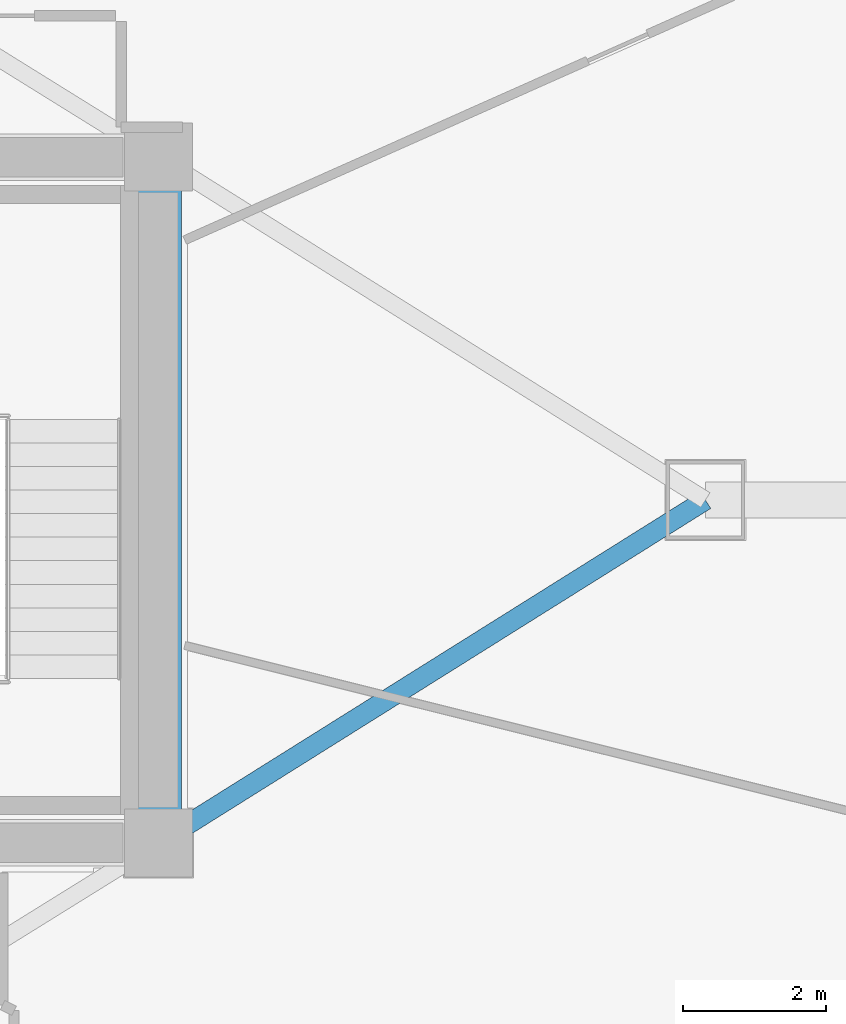
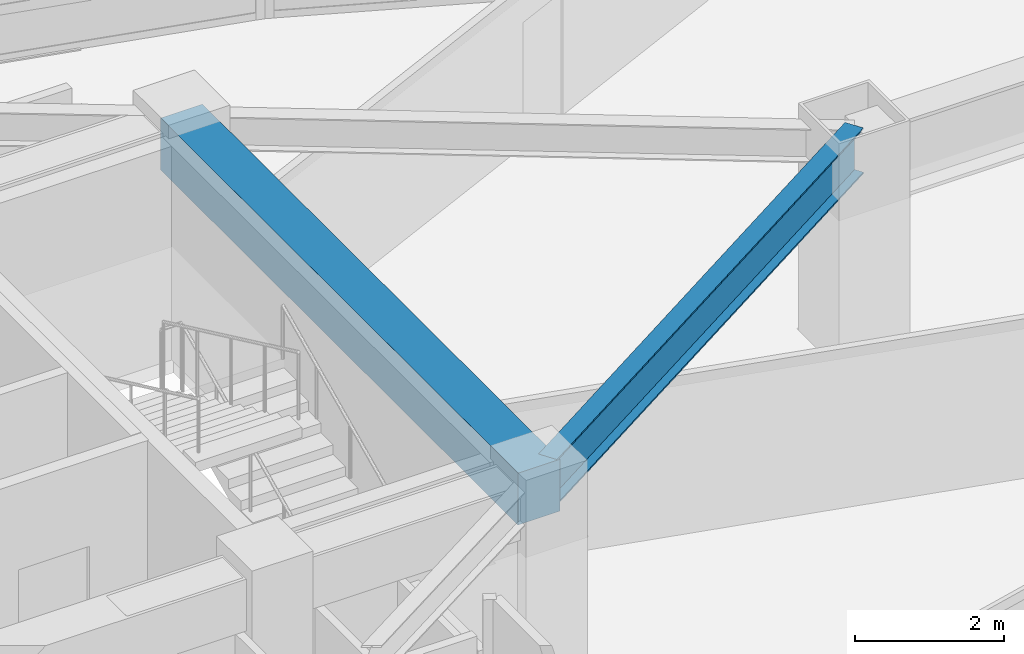
# One storey, part 6 of 18: 2 beams.
"""IFC4 building model written with IfcOpenShell, lengths in metres."""

from ifc_helpers import new_model, si_unit, direction, frame, origin, origin_2d, place, context, subcontext, project, spatial, rectangle, i_section, extrude, material, material_profile, profile_set, type_object, element, save


model = new_model("IFC4")

# Units and contexts
model_context = context("Model", 3, precision=1e-05, world=origin(), true_north=direction((0.0, 1.0)))
body_context = subcontext(model_context, "Body", "Model", "MODEL_VIEW")
ifc_project = project(units=[si_unit("LENGTHUNIT", "METRE"), si_unit("AREAUNIT", "SQUARE_METRE"), si_unit("VOLUMEUNIT", "CUBIC_METRE"), si_unit("PLANEANGLEUNIT", "RADIAN"), si_unit("MASSUNIT", "GRAM", prefix="KILO")], contexts=[model_context])

# Site, building, storey
site_placement = place(None, origin())
site = spatial("IfcSite", under=ifc_project, at=site_placement, CompositionType="ELEMENT")
building_placement = place(site_placement, origin())
building = spatial("IfcBuilding", under=site, at=building_placement, Name="Menara Vayukalpa", CompositionType="ELEMENT")
storey_placement = place(building_placement, frame((0.0, 0.0, 165.47998046875)))
storey = spatial("IfcBuildingStorey", under=building, at=storey_placement, Name="L41", CompositionType="ELEMENT", Elevation=165.47998046875)

# Beams
ifc_material_1 = material(Name="Concrete C60/75", Category="concrete")
ifc_material_profile_1 = material_profile(ifc_material_1, rectangle(XDim=0.64990234375, YDim=0.85009765625, at=origin_2d()), Name="RC 650x850")
ifc_profile_set_1 = profile_set([ifc_material_profile_1], Name="Concrete C60/75")
beam_type_1 = type_object("IfcBeamType", Name="BM-CB1", PredefinedType="BEAM", material=ifc_profile_set_1)
beam_1_placement = place(storey_placement, frame((33.39990234375, 17.199951171875, 3.074951171875), z_axis=(0.0, 1.0, 0.0), x_axis=(-1.0, 0.0, 0.0)))
element("IfcBeam", 1, at=beam_1_placement, inside=storey, type_object=beam_type_1, Name="L41 Core Tie Beam CBR8", PredefinedType="BEAM", context=body_context, shape_type="SweptSolid", body=[
    extrude(rectangle(XDim=0.64990234375, YDim=0.85009765625, at=origin_2d()), origin(), (0.0, 0.0, 1.0), 9.60009765625),
])
ifc_material_2 = material(Name="Steel S355", Category="steel")
ifc_material_profile_2 = material_profile(ifc_material_2, i_section(OverallWidth=0.280029296875, OverallDepth=0.75, WebThickness=0.013916015625, FlangeThickness=0.02490234375, at=origin_2d()), Name="WF 750x280x14x25")
ifc_profile_set_2 = profile_set([ifc_material_profile_2], Name="Steel S355")
beam_type_2 = type_object("IfcBeamType", Name="BM-PG4", PredefinedType="BEAM", material=ifc_profile_set_2)
beam_2_placement = place(storey_placement, frame((33.61181640625, 17.332763671875, 3.125), z_axis=(0.847348467727, 0.531037262573, 0.0), x_axis=(-0.531037262573, 0.847348467727, 0.0)))
element("IfcBeam", 2, at=beam_2_placement, inside=storey, type_object=beam_type_2, Name="L41 Primary Radial Girder RG01", PredefinedType="BEAM", context=body_context, shape_type="SweptSolid", body=[
    extrude(i_section(OverallWidth=0.280029296875, OverallDepth=0.75, WebThickness=0.013916015625, FlangeThickness=0.02490234375, at=origin_2d()), origin(), (0.0, 0.0, 1.0), 8.788818359375),
])

save(model, "model.ifc")
